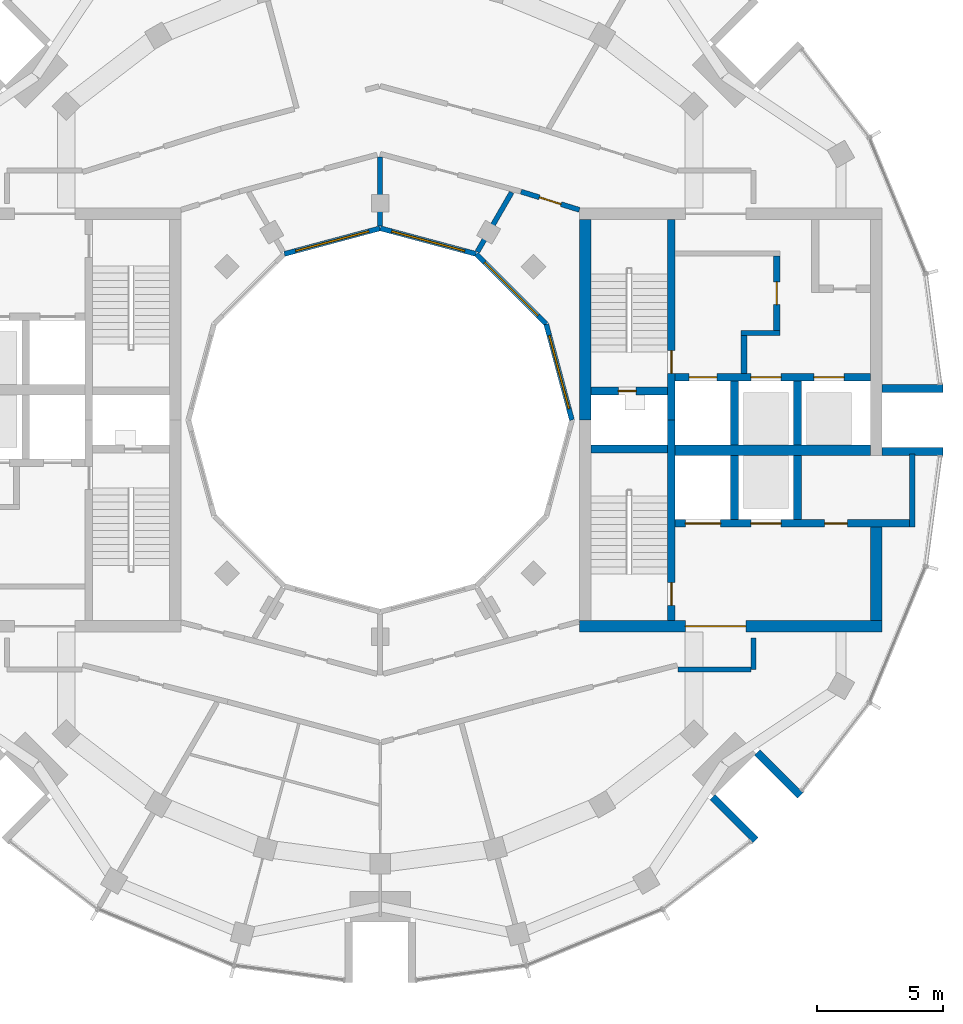
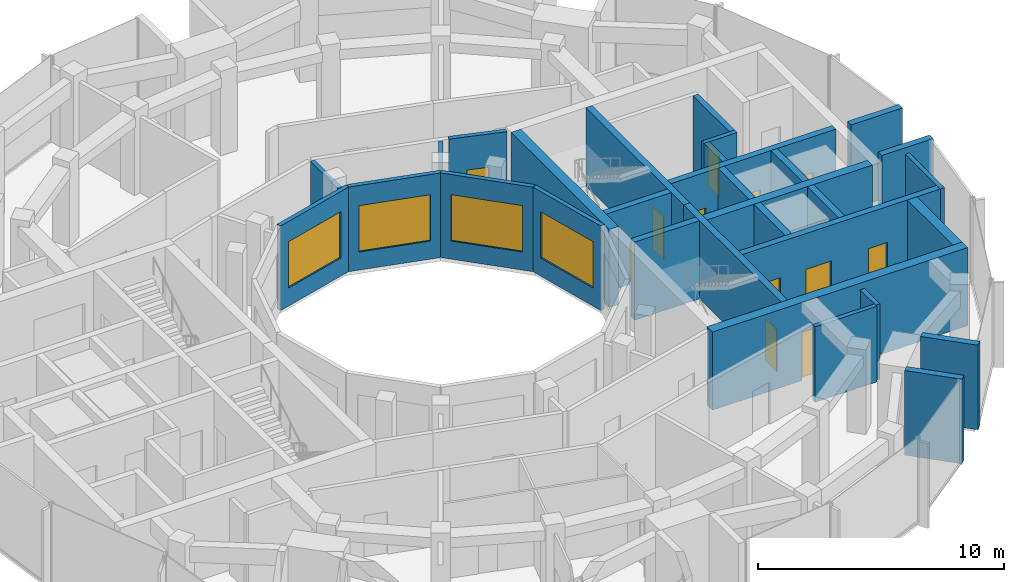
# One storey, part 10 of 13: 31 walls, 12 doors, 4 windows, 16 openings.
"""IFC4 building model written with IfcOpenShell, lengths in metres."""

from ifc_helpers import new_model, si_unit, direction, frame, frame_2d, origin, place, context, subcontext, project, spatial, rectangle, extrude, material, layer, layer_set, type_object, element, fill, save


model = new_model("IFC4")

# Units and contexts
model_context = context("Model", 3, precision=1e-05, world=origin(), true_north=direction((0.0, 1.0)))
body_context = subcontext(model_context, "Body", "Model", "MODEL_VIEW")
ifc_project = project(units=[si_unit("LENGTHUNIT", "METRE"), si_unit("AREAUNIT", "SQUARE_METRE"), si_unit("VOLUMEUNIT", "CUBIC_METRE"), si_unit("PLANEANGLEUNIT", "RADIAN"), si_unit("MASSUNIT", "GRAM", prefix="KILO")], contexts=[model_context])

# Site, building, storey
site_placement = place(None, origin())
site = spatial("IfcSite", under=ifc_project, at=site_placement, CompositionType="ELEMENT")
building_placement = place(site_placement, origin())
building = spatial("IfcBuilding", under=site, at=building_placement, Name="Torre Brocal", CompositionType="ELEMENT")
storey_placement = place(building_placement, frame((0.0, 0.0, 296.699951171875)))
storey = spatial("IfcBuildingStorey", under=building, at=storey_placement, Name="L68", CompositionType="ELEMENT", Elevation=296.699951171875)

# Walls
ifc_material_1 = material(Name="Masonry block", Category="masonry")
ifc_layer_1 = layer(ifc_material_1, 0.199951171875)
ifc_layer_set_1 = layer_set([ifc_layer_1], Name="Masonry block")
wall_type_1 = type_object("IfcWallType", Name="CORE PARTITION 200", PredefinedType="PARTITIONING", material=ifc_layer_set_1)
wall_1_placement = place(storey_placement, frame((101.10009765625, 70.75, 0.0), z_axis=(0.0, 0.0, 1.0), x_axis=(0.0, 1.0, 0.0)))
element("IfcWall", 1, at=wall_1_placement, inside=storey, type_object=wall_type_1, Name="Wall CP200", PredefinedType="PARTITIONING", context=body_context, shape_type="SweptSolid", body=[
    extrude(rectangle(XDim=2.89990234375, YDim=0.199951171875, at=frame_2d((1.449951171875, 0.0))), origin(), (0.0, 0.0, 1.0), 3.880126953125),
])
ifc_material_2 = material(Name="Concrete C50", Category="concrete")
ifc_layer_2 = layer(ifc_material_2, 0.199951171875)
ifc_layer_set_2 = layer_set([ifc_layer_2], Name="Concrete C50")
wall_type_2 = type_object("IfcWallType", Name="CORE WALL 200 C50", PredefinedType="SHEAR", material=ifc_layer_set_2)
wall_2_placement = place(storey_placement, frame((94.300048828125, 78.449951171875, 0.0), z_axis=(0.0, 0.0, 1.0), x_axis=(1.0, 0.0, 0.0)))
element("IfcWall", 2, at=wall_2_placement, inside=storey, type_object=wall_type_2, Name="Wall CW200-50", PredefinedType="SHEAR", context=body_context, shape_type="SweptSolid", body=[
    extrude(rectangle(XDim=1.550048828125, YDim=0.199951171875, at=frame_2d((0.77490234375, 0.0))), origin(), (0.0, 0.0, 1.0), 3.880126953125),
])

# Wall, opening, door
ifc_material_3 = material(Name="Concrete C50", Category="concrete")
ifc_layer_3 = layer(ifc_material_3, 0.25)
ifc_layer_set_3 = layer_set([ifc_layer_3], Name="Concrete C50")
wall_type_3 = type_object("IfcWallType", Name="CORE WALL 250 C50", PredefinedType="SHEAR", material=ifc_layer_set_3)
wall_3_placement = place(storey_placement, frame((95.72509765625, 78.550048828125, 0.0), z_axis=(0.0, 0.0, 1.0), x_axis=(0.0, 1.0, 0.0)))
wall_3 = element("IfcWall", 3, at=wall_3_placement, inside=storey, type_object=wall_type_3, Name="Wall CW250-50", PredefinedType="SHEAR", context=body_context, shape_type="SweptSolid", body=[
    extrude(rectangle(XDim=2.949951171875, YDim=0.25, at=frame_2d((1.47509765625, 0.0))), origin(), (0.0, 0.0, 1.0), 3.880126953125),
])
opening_1_placement = place(wall_3_placement, frame((1.02490234375, 0.0, 0.0)))
opening_1 = element("IfcOpeningElement", 4, at=opening_1_placement, cuts=wall_3, Name="Opening E-D19", PredefinedType="OPENING", context=body_context, shape_type="SweptSolid", body=[
    extrude(rectangle(XDim=0.89990234375, YDim=2.10009765625, at=frame_2d((0.449951171875, 1.050048828125))), frame((0.0, 0.135009765625, 0.0), z_axis=(0.0, -1.0, 0.0), x_axis=(1.0, 0.0, 0.0)), (0.0, 0.0, 1.0), 0.27001953125),
])
ifc_material_4 = material(Name="Steel A653", Category="steel")
door_type_1 = type_object("IfcDoorType", Name="LOBBY DOOR FD120 900X2100", OperationType="SINGLE_SWING_RIGHT", PredefinedType="DOOR", material=ifc_material_4)
door_1_placement = place(opening_1_placement, origin())
door_1 = element("IfcDoor", 5, at=door_1_placement, inside=storey, type_object=door_type_1, Name="Door E-D19", OperationType="SINGLE_SWING_LEFT", OverallHeight=2.10009765625, OverallWidth=0.89990234375, PredefinedType="DOOR", context=body_context, shape_type="SweptSolid", body=[
    extrude(rectangle(XDim=0.89990234375, YDim=2.10009765625, at=frame_2d((0.449951171875, 1.050048828125))), frame((0.0, 0.02490234375, 0.0), z_axis=(0.0, -1.0, 0.0), x_axis=(1.0, 0.0, 0.0)), (0.0, 0.0, 1.0), 0.050048828125),
])
fill(opening_1, door_1)

# Wall
wall_4_placement = place(storey_placement, frame((94.425048828125, 76.85009765625, 0.0), z_axis=(0.0, 0.0, 1.0), x_axis=(0.0, 1.0, 0.0)))
element("IfcWall", 6, at=wall_4_placement, inside=storey, type_object=wall_type_3, Name="Wall CW250-50", PredefinedType="SHEAR", context=body_context, shape_type="SweptSolid", body=[
    extrude(rectangle(XDim=1.5, YDim=0.25, at=frame_2d((0.75, 0.0))), origin(), (0.0, 0.0, 1.0), 3.880126953125),
])

# Wall, opening, door
ifc_material_5 = material(Name="Concrete C50", Category="concrete")
ifc_layer_4 = layer(ifc_material_5, 0.300048828125)
ifc_layer_set_4 = layer_set([ifc_layer_4], Name="Concrete C50")
wall_type_4 = type_object("IfcWallType", Name="CORE WALL 300 C50", PredefinedType="SHEAR", material=ifc_layer_set_4)
wall_5_placement = place(storey_placement, frame((91.550048828125, 75.0, 0.0), z_axis=(0.0, 0.0, 1.0), x_axis=(0.0, 1.0, 0.0)))
wall_5 = element("IfcWall", 7, at=wall_5_placement, inside=storey, type_object=wall_type_4, Name="Wall CW300-50", PredefinedType="SHEAR", context=body_context, shape_type="SweptSolid", body=[
    extrude(rectangle(XDim=7.949951171875, YDim=0.300048828125, at=frame_2d((3.97509765625, 0.0))), origin(), (0.0, 0.0, 1.0), 3.880126953125),
])
opening_2_placement = place(wall_5_placement, frame((1.85009765625, 0.0, 0.0)))
opening_2 = element("IfcOpeningElement", 8, at=opening_2_placement, cuts=wall_5, Name="Opening E-D02", PredefinedType="OPENING", context=body_context, shape_type="SweptSolid", body=[
    extrude(rectangle(XDim=0.89990234375, YDim=2.10009765625, at=frame_2d((0.449951171875, 1.050048828125))), frame((0.0, 0.159912109375, 0.0), z_axis=(0.0, -1.0, 0.0), x_axis=(1.0, 0.0, 0.0)), (0.0, 0.0, 1.0), 0.320068359375),
])
ifc_material_6 = material(Name="Steel A653", Category="steel")
door_type_2 = type_object("IfcDoorType", Name="STAIR DOOR FD120 900X2100", OperationType="SINGLE_SWING_RIGHT", PredefinedType="DOOR", material=ifc_material_6)
door_2_placement = place(opening_2_placement, origin())
door_2 = element("IfcDoor", 9, at=door_2_placement, inside=storey, type_object=door_type_2, Name="Door E-D02", OperationType="SINGLE_SWING_LEFT", OverallHeight=2.10009765625, OverallWidth=0.89990234375, PredefinedType="DOOR", context=body_context, shape_type="SweptSolid", body=[
    extrude(rectangle(XDim=0.89990234375, YDim=2.10009765625, at=frame_2d((0.449951171875, 1.050048828125))), frame((0.0, 0.02490234375, 0.0), z_axis=(0.0, -1.0, 0.0), x_axis=(1.0, 0.0, 0.0)), (0.0, 0.0, 1.0), 0.050048828125),
])
fill(opening_2, door_2)

wall_6_placement = place(storey_placement, frame((91.550048828125, 67.050048828125, 0.0), z_axis=(0.0, 0.0, 1.0), x_axis=(0.0, 1.0, 0.0)))
wall_6 = element("IfcWall", 10, at=wall_6_placement, inside=storey, type_object=wall_type_4, Name="Wall CW300-50", PredefinedType="SHEAR", context=body_context, shape_type="SweptSolid", body=[
    extrude(rectangle(XDim=7.949951171875, YDim=0.300048828125, at=frame_2d((3.97509765625, 0.0))), origin(), (0.0, 0.0, 1.0), 3.880126953125),
])
opening_3_placement = place(wall_6_placement, frame((0.60009765625, 0.0, 0.0)))
opening_3 = element("IfcOpeningElement", 11, at=opening_3_placement, cuts=wall_6, Name="Opening E-D03", PredefinedType="OPENING", context=body_context, shape_type="SweptSolid", body=[
    extrude(rectangle(XDim=0.89990234375, YDim=2.10009765625, at=frame_2d((0.449951171875, 1.050048828125))), frame((0.0, 0.159912109375, 0.0), z_axis=(0.0, -1.0, 0.0), x_axis=(1.0, 0.0, 0.0)), (0.0, 0.0, 1.0), 0.320068359375),
])
door_3_placement = place(opening_3_placement, origin())
door_3 = element("IfcDoor", 12, at=door_3_placement, inside=storey, type_object=door_type_2, Name="Door E-D03", OperationType="SINGLE_SWING_LEFT", OverallHeight=2.10009765625, OverallWidth=0.89990234375, PredefinedType="DOOR", context=body_context, shape_type="SweptSolid", body=[
    extrude(rectangle(XDim=0.89990234375, YDim=2.10009765625, at=frame_2d((0.449951171875, 1.050048828125))), frame((0.0, 0.02490234375, 0.0), z_axis=(0.0, -1.0, 0.0), x_axis=(1.0, 0.0, 0.0)), (0.0, 0.0, 1.0), 0.050048828125),
])
fill(opening_3, door_3)

wall_7_placement = place(storey_placement, frame((88.35009765625, 76.14990234375, 0.0), z_axis=(0.0, 0.0, 1.0), x_axis=(1.0, 0.0, 0.0)))
wall_7 = element("IfcWall", 13, at=wall_7_placement, inside=storey, type_object=wall_type_4, Name="Wall CW300-50", PredefinedType="SHEAR", context=body_context, shape_type="SweptSolid", body=[
    extrude(rectangle(XDim=3.0498046875, YDim=0.300048828125, at=frame_2d((1.52490234375, 0.0))), origin(), (0.0, 0.0, 1.0), 3.880126953125),
])
opening_4_placement = place(wall_7_placement, frame((1.10009765625, 0.0, 0.0)))
opening_4 = element("IfcOpeningElement", 14, at=opening_4_placement, cuts=wall_7, Name="Opening E-D01", PredefinedType="OPENING", context=body_context, shape_type="SweptSolid", body=[
    extrude(rectangle(XDim=0.699951171875, YDim=2.0, at=frame_2d((0.35009765625, 1.0))), frame((0.0, 0.159912109375, 0.0), z_axis=(0.0, -1.0, 0.0), x_axis=(1.0, 0.0, 0.0)), (0.0, 0.0, 1.0), 0.320068359375),
])
ifc_material_7 = material(Name="Steel A653", Category="steel")
door_type_3 = type_object("IfcDoorType", Name="RISER DOOR FD120 700X2000", OperationType="SINGLE_SWING_LEFT", PredefinedType="DOOR", material=ifc_material_7)
door_4_placement = place(opening_4_placement, frame((0.699951171875, 0.0, 0.0), z_axis=(0.0, 0.0, 1.0), x_axis=(-1.0, 0.0, 0.0)))
door_4 = element("IfcDoor", 15, at=door_4_placement, inside=storey, type_object=door_type_3, Name="Door E-D01", OperationType="SINGLE_SWING_RIGHT", OverallHeight=2.0, OverallWidth=0.699951171875, PredefinedType="DOOR", context=body_context, shape_type="SweptSolid", body=[
    extrude(rectangle(XDim=0.699951171875, YDim=2.0, at=frame_2d((0.35009765625, 1.0))), frame((0.0, 0.02490234375, 0.0), z_axis=(0.0, -1.0, 0.0), x_axis=(1.0, 0.0, 0.0)), (0.0, 0.0, 1.0), 0.050048828125),
])
fill(opening_4, door_4)

# Wall
wall_8_placement = place(storey_placement, frame((88.35009765625, 73.85009765625, 0.0), z_axis=(0.0, 0.0, 1.0), x_axis=(1.0, 0.0, 0.0)))
element("IfcWall", 16, at=wall_8_placement, inside=storey, type_object=wall_type_4, Name="Wall CW300-50", PredefinedType="SHEAR", context=body_context, shape_type="SweptSolid", body=[
    extrude(rectangle(XDim=3.0498046875, YDim=0.300048828125, at=frame_2d((1.52490234375, 0.0))), origin(), (0.0, 0.0, 1.0), 3.880126953125),
])

# Wall, openings, doors
wall_9_placement = place(storey_placement, frame((91.699951171875, 76.699951171875, 0.0), z_axis=(0.0, 0.0, 1.0), x_axis=(1.0, 0.0, 0.0)))
wall_9 = element("IfcWall", 17, at=wall_9_placement, inside=storey, type_object=wall_type_4, Name="Wall CW300-50", PredefinedType="SHEAR", context=body_context, shape_type="SweptSolid", body=[
    extrude(rectangle(XDim=7.75, YDim=0.300048828125, at=frame_2d((3.875, 0.0))), origin(), (0.0, 0.0, 1.0), 3.880126953125),
])
opening_5_placement = place(wall_9_placement, frame((0.550048828125, 0.0, 0.0)))
opening_5 = element("IfcOpeningElement", 18, at=opening_5_placement, cuts=wall_9, Name="Opening LD", PredefinedType="OPENING", context=body_context, shape_type="SweptSolid", body=[
    extrude(rectangle(XDim=1.10009765625, YDim=2.10009765625, at=frame_2d((0.550048828125, 1.050048828125))), frame((0.0, 0.159912109375, 0.0), z_axis=(0.0, -1.0, 0.0), x_axis=(1.0, 0.0, 0.0)), (0.0, 0.0, 1.0), 0.320068359375),
])
opening_6_placement = place(wall_9_placement, frame((3.0, 0.0, 0.0)))
opening_6 = element("IfcOpeningElement", 19, at=opening_6_placement, cuts=wall_9, Name="Opening LD12", PredefinedType="OPENING", context=body_context, shape_type="SweptSolid", body=[
    extrude(rectangle(XDim=1.199951171875, YDim=2.10009765625, at=frame_2d((0.60009765625, 1.050048828125))), frame((0.0, 0.159912109375, 0.0), z_axis=(0.0, -1.0, 0.0), x_axis=(1.0, 0.0, 0.0)), (0.0, 0.0, 1.0), 0.320068359375),
])
opening_7_placement = place(wall_9_placement, frame((5.5, 0.0, 0.0)))
opening_7 = element("IfcOpeningElement", 20, at=opening_7_placement, cuts=wall_9, Name="Opening LD12", PredefinedType="OPENING", context=body_context, shape_type="SweptSolid", body=[
    extrude(rectangle(XDim=1.199951171875, YDim=2.10009765625, at=frame_2d((0.60009765625, 1.050048828125))), frame((0.0, 0.159912109375, 0.0), z_axis=(0.0, -1.0, 0.0), x_axis=(1.0, 0.0, 0.0)), (0.0, 0.0, 1.0), 0.320068359375),
])
ifc_material_8 = material(Name="Stainless steel AISI 316", Category="steel")
door_type_4 = type_object("IfcDoorType", Name="LIFT LANDING DOOR 1100X2100", OperationType="DOUBLE_DOOR_SLIDING", PredefinedType="DOOR", material=ifc_material_8)
door_5_placement = place(opening_5_placement, origin())
door_5 = element("IfcDoor", 21, at=door_5_placement, inside=storey, type_object=door_type_4, Name="Door LD", OperationType="DOUBLE_DOOR_SLIDING", OverallHeight=2.10009765625, OverallWidth=1.10009765625, PredefinedType="DOOR", context=body_context, shape_type="SweptSolid", body=[
    extrude(rectangle(XDim=1.10009765625, YDim=2.10009765625, at=frame_2d((0.550048828125, 1.050048828125))), frame((0.0, 0.02490234375, 0.0), z_axis=(0.0, -1.0, 0.0), x_axis=(1.0, 0.0, 0.0)), (0.0, 0.0, 1.0), 0.050048828125),
])
fill(opening_5, door_5)
ifc_material_9 = material(Name="Stainless steel AISI 316", Category="steel")
door_type_5 = type_object("IfcDoorType", Name="LIFT LANDING DOOR 1200X2100", OperationType="DOUBLE_DOOR_SLIDING", PredefinedType="DOOR", material=ifc_material_9)
door_6_placement = place(opening_6_placement, origin())
door_6 = element("IfcDoor", 22, at=door_6_placement, inside=storey, type_object=door_type_5, Name="Door LD12", OperationType="DOUBLE_DOOR_SLIDING", OverallHeight=2.10009765625, OverallWidth=1.199951171875, PredefinedType="DOOR", context=body_context, shape_type="SweptSolid", body=[
    extrude(rectangle(XDim=1.199951171875, YDim=2.10009765625, at=frame_2d((0.60009765625, 1.050048828125))), frame((0.0, 0.02490234375, 0.0), z_axis=(0.0, -1.0, 0.0), x_axis=(1.0, 0.0, 0.0)), (0.0, 0.0, 1.0), 0.050048828125),
])
fill(opening_6, door_6)
door_7_placement = place(opening_7_placement, origin())
door_7 = element("IfcDoor", 23, at=door_7_placement, inside=storey, type_object=door_type_5, Name="Door LD12", OperationType="DOUBLE_DOOR_SLIDING", OverallHeight=2.10009765625, OverallWidth=1.199951171875, PredefinedType="DOOR", context=body_context, shape_type="SweptSolid", body=[
    extrude(rectangle(XDim=1.199951171875, YDim=2.10009765625, at=frame_2d((0.60009765625, 1.050048828125))), frame((0.0, 0.02490234375, 0.0), z_axis=(0.0, -1.0, 0.0), x_axis=(1.0, 0.0, 0.0)), (0.0, 0.0, 1.0), 0.050048828125),
])
fill(opening_7, door_7)

wall_10_placement = place(storey_placement, frame((91.699951171875, 70.89990234375, 0.0), z_axis=(0.0, 0.0, 1.0), x_axis=(1.0, 0.0, 0.0)))
wall_10 = element("IfcWall", 24, at=wall_10_placement, inside=storey, type_object=wall_type_4, Name="Wall CW300-50", PredefinedType="SHEAR", context=body_context, shape_type="SweptSolid", body=[
    extrude(rectangle(XDim=9.300048828125, YDim=0.300048828125, at=frame_2d((4.64990234375, 0.0))), origin(), (0.0, 0.0, 1.0), 3.880126953125),
])
opening_8_placement = place(wall_10_placement, frame((0.39990234375, 0.0, 0.0)))
opening_8 = element("IfcOpeningElement", 25, at=opening_8_placement, cuts=wall_10, Name="Opening LD14", PredefinedType="OPENING", context=body_context, shape_type="SweptSolid", body=[
    extrude(rectangle(XDim=1.39990234375, YDim=2.10009765625, at=frame_2d((0.699951171875, 1.050048828125))), frame((0.0, 0.159912109375, 0.0), z_axis=(0.0, -1.0, 0.0), x_axis=(1.0, 0.0, 0.0)), (0.0, 0.0, 1.0), 0.320068359375),
])
opening_9_placement = place(wall_10_placement, frame((3.0, 0.0, 0.0)))
opening_9 = element("IfcOpeningElement", 26, at=opening_9_placement, cuts=wall_10, Name="Opening LD12", PredefinedType="OPENING", context=body_context, shape_type="SweptSolid", body=[
    extrude(rectangle(XDim=1.199951171875, YDim=2.10009765625, at=frame_2d((0.60009765625, 1.050048828125))), frame((0.0, 0.159912109375, 0.0), z_axis=(0.0, -1.0, 0.0), x_axis=(1.0, 0.0, 0.0)), (0.0, 0.0, 1.0), 0.320068359375),
])
opening_10_placement = place(wall_10_placement, frame((5.925048828125, 0.0, 0.0)))
opening_10 = element("IfcOpeningElement", 27, at=opening_10_placement, cuts=wall_10, Name="Opening E-D04", PredefinedType="OPENING", context=body_context, shape_type="SweptSolid", body=[
    extrude(rectangle(XDim=0.89990234375, YDim=2.10009765625, at=frame_2d((0.449951171875, 1.050048828125))), frame((0.0, 0.159912109375, 0.0), z_axis=(0.0, -1.0, 0.0), x_axis=(1.0, 0.0, 0.0)), (0.0, 0.0, 1.0), 0.320068359375),
])
door_8_placement = place(opening_9_placement, origin())
door_8 = element("IfcDoor", 28, at=door_8_placement, inside=storey, type_object=door_type_5, Name="Door LD12", OperationType="DOUBLE_DOOR_SLIDING", OverallHeight=2.10009765625, OverallWidth=1.199951171875, PredefinedType="DOOR", context=body_context, shape_type="SweptSolid", body=[
    extrude(rectangle(XDim=1.199951171875, YDim=2.10009765625, at=frame_2d((0.60009765625, 1.050048828125))), frame((0.0, 0.02490234375, 0.0), z_axis=(0.0, -1.0, 0.0), x_axis=(1.0, 0.0, 0.0)), (0.0, 0.0, 1.0), 0.050048828125),
])
fill(opening_9, door_8)
ifc_material_10 = material(Name="Stainless steel AISI 316", Category="steel")
door_type_6 = type_object("IfcDoorType", Name="LIFT LANDING DOOR 1400X2100", OperationType="DOUBLE_DOOR_SLIDING", PredefinedType="DOOR", material=ifc_material_10)
door_9_placement = place(opening_8_placement, origin())
door_9 = element("IfcDoor", 29, at=door_9_placement, inside=storey, type_object=door_type_6, Name="Door LD14", OperationType="DOUBLE_DOOR_SLIDING", OverallHeight=2.10009765625, OverallWidth=1.39990234375, PredefinedType="DOOR", context=body_context, shape_type="SweptSolid", body=[
    extrude(rectangle(XDim=1.39990234375, YDim=2.10009765625, at=frame_2d((0.699951171875, 1.050048828125))), frame((0.0, 0.02490234375, 0.0), z_axis=(0.0, -1.0, 0.0), x_axis=(1.0, 0.0, 0.0)), (0.0, 0.0, 1.0), 0.050048828125),
])
fill(opening_8, door_9)
ifc_material_11 = material(Name="Steel A653", Category="steel")
door_type_7 = type_object("IfcDoorType", Name="ROOM DOOR FD30S 900X2100", OperationType="SINGLE_SWING_LEFT", PredefinedType="DOOR", material=ifc_material_11)
door_10_placement = place(opening_10_placement, origin())
door_10 = element("IfcDoor", 30, at=door_10_placement, inside=storey, type_object=door_type_7, Name="Door E-D04", OperationType="SINGLE_SWING_LEFT", OverallHeight=2.10009765625, OverallWidth=0.89990234375, PredefinedType="DOOR", context=body_context, shape_type="SweptSolid", body=[
    extrude(rectangle(XDim=0.89990234375, YDim=2.10009765625, at=frame_2d((0.449951171875, 1.050048828125))), frame((0.0, 0.02490234375, 0.0), z_axis=(0.0, -1.0, 0.0), x_axis=(1.0, 0.0, 0.0)), (0.0, 0.0, 1.0), 0.050048828125),
])
fill(opening_10, door_10)

# Walls
for number, where, z_axis, x_axis, name in (
    (31, (94.050048828125, 74.0, 0.0), (0.0, 0.0, 1.0), (0.0, 1.0, 0.0), "Wall CW300-50"),
    (32, (96.550048828125, 74.0, 0.0), (0.0, 0.0, 1.0), (0.0, 1.0, 0.0), "Wall CW300-50"),
    (33, (94.050048828125, 71.050048828125, 0.0), (0.0, 0.0, 1.0), (0.0, 1.0, 0.0), "Wall CW300-50"),
    (34, (96.550048828125, 71.050048828125, 0.0), (0.0, 0.0, 1.0), (0.0, 1.0, 0.0), "Wall CW300-50"),
):
    element("IfcWall", number, at=place(storey_placement, frame(where, z_axis=z_axis, x_axis=x_axis)), inside=storey, type_object=wall_type_4, Name=name, PredefinedType="SHEAR", context=body_context, shape_type="SweptSolid", body=[
        extrude(rectangle(XDim=2.550048828125, YDim=0.300048828125, at=frame_2d((1.27490234375, 0.0))), origin(), (0.0, 0.0, 1.0), 3.880126953125),
    ])
ifc_material_12 = material(Name="Concrete C50", Category="concrete")
ifc_layer_5 = layer(ifc_material_12, 0.39990234375)
ifc_layer_set_5 = layer_set([ifc_layer_5], Name="Concrete C50")
wall_type_5 = type_object("IfcWallType", Name="CORE WALL 400 C50", PredefinedType="SHEAR", material=ifc_layer_set_5)
wall_11_placement = place(storey_placement, frame((91.699951171875, 73.800048828125, 0.0), z_axis=(0.0, 0.0, 1.0), x_axis=(1.0, 0.0, 0.0)))
element("IfcWall", 35, at=wall_11_placement, inside=storey, type_object=wall_type_5, Name="Wall CW400-50", PredefinedType="SHEAR", context=body_context, shape_type="SweptSolid", body=[
    extrude(rectangle(XDim=7.75, YDim=0.39990234375, at=frame_2d((3.875, 0.0))), origin(), (0.0, 0.0, 1.0), 3.880126953125),
])

# Wall, opening, door
ifc_material_13 = material(Name="Concrete C50", Category="concrete")
ifc_layer_6 = layer(ifc_material_13, 0.449951171875)
ifc_layer_set_6 = layer_set([ifc_layer_6], Name="Concrete C50")
wall_type_6 = type_object("IfcWallType", Name="CORE WALL 450 C50", PredefinedType="SHEAR", material=ifc_layer_set_6)
wall_12_placement = place(storey_placement, frame((87.89990234375, 66.824951171875, 0.0), z_axis=(0.0, 0.0, 1.0), x_axis=(1.0, 0.0, 0.0)))
wall_12 = element("IfcWall", 36, at=wall_12_placement, inside=storey, type_object=wall_type_6, Name="Wall CW450-50", PredefinedType="SHEAR", context=body_context, shape_type="SweptSolid", body=[
    extrude(rectangle(XDim=12.0, YDim=0.449951171875, at=frame_2d((6.0, 0.0))), origin(), (0.0, 0.0, 1.0), 3.880126953125),
])
opening_11_placement = place(wall_12_placement, frame((4.199951171875, 0.0, 0.0)))
opening_11 = element("IfcOpeningElement", 37, at=opening_11_placement, cuts=wall_12, Name="Opening E-D27", PredefinedType="OPENING", context=body_context, shape_type="SweptSolid", body=[
    extrude(rectangle(XDim=2.39990234375, YDim=2.39990234375, at=frame_2d((1.199951171875, 1.199951171875))), frame((0.0, 0.23486328125, 0.0), z_axis=(0.0, -1.0, 0.0), x_axis=(1.0, 0.0, 0.0)), (0.0, 0.0, 1.0), 0.469970703125),
])
ifc_material_14 = material(Name="Steel A653", Category="steel")
door_type_8 = type_object("IfcDoorType", Name="DOUBLE FIRE DOOR FD90 2400X2400", OperationType="DOUBLE_DOOR_SINGLE_SWING", PredefinedType="DOOR", material=ifc_material_14)
door_11_placement = place(opening_11_placement, origin())
door_11 = element("IfcDoor", 38, at=door_11_placement, inside=storey, type_object=door_type_8, Name="Door E-D27", OperationType="DOUBLE_DOOR_SINGLE_SWING", OverallHeight=2.39990234375, OverallWidth=2.39990234375, PredefinedType="DOOR", context=body_context, shape_type="SweptSolid", body=[
    extrude(rectangle(XDim=2.39990234375, YDim=2.39990234375, at=frame_2d((1.199951171875, 1.199951171875))), frame((0.0, 0.02490234375, 0.0), z_axis=(0.0, -1.0, 0.0), x_axis=(1.0, 0.0, 0.0)), (0.0, 0.0, 1.0), 0.050048828125),
])
fill(opening_11, door_11)

# Walls
wall_13_placement = place(storey_placement, frame((88.125, 75.0, 0.0), z_axis=(0.0, 0.0, 1.0), x_axis=(0.0, 1.0, 0.0)))
element("IfcWall", 39, at=wall_13_placement, inside=storey, type_object=wall_type_6, Name="Wall CW450-50", PredefinedType="SHEAR", context=body_context, shape_type="SweptSolid", body=[
    extrude(rectangle(XDim=7.949951171875, YDim=0.449951171875, at=frame_2d((3.97509765625, 0.0))), origin(), (0.0, 0.0, 1.0), 3.880126953125),
])
wall_14_placement = place(storey_placement, frame((99.675048828125, 67.050048828125, 0.0), z_axis=(0.0, 0.0, 1.0), x_axis=(0.0, 1.0, 0.0)))
element("IfcWall", 40, at=wall_14_placement, inside=storey, type_object=wall_type_6, Name="Wall CW450-50", PredefinedType="SHEAR", context=body_context, shape_type="SweptSolid", body=[
    extrude(rectangle(XDim=3.699951171875, YDim=0.449951171875, at=frame_2d((1.85009765625, 0.0))), origin(), (0.0, 0.0, 1.0), 3.880126953125),
])
ifc_material_15 = material(Name="Concrete C50", Category="concrete")
ifc_layer_7 = layer(ifc_material_15, 0.300048828125)
ifc_layer_set_7 = layer_set([ifc_layer_7], Name="Concrete C50")
wall_type_7 = type_object("IfcWallType", Name="NOTCH RETURN WALL 300 C50", PredefinedType="NOTDEFINED", material=ifc_layer_set_7)
for number, where, z_axis, x_axis, name in (
    (41, (99.89990234375, 73.75, 0.0), (0.0, 0.0, 1.0), (1.0, 0.0, 0.0), "NOTCH RETURN WALL"),
    (42, (99.89990234375, 76.25, 0.0), (0.0, 0.0, 1.0), (1.0, 0.0, 0.0), "NOTCH RETURN WALL"),
    (43, (93.1875, 60.044677734375, 0.0), (0.0, 0.0, 1.0), (0.707106781187, -0.707106781187, 0.0), "NOTCH RETURN WALL"),
    (44, (94.955322265625, 61.8125, 0.0), (0.0, 0.0, 1.0), (0.707106781187, -0.707106781187, 0.0), "NOTCH RETURN WALL"),
):
    element("IfcWall", number, at=place(storey_placement, frame(where, z_axis=z_axis, x_axis=x_axis)), inside=storey, type_object=wall_type_7, Name=name, PredefinedType="NOTDEFINED", context=body_context, shape_type="SweptSolid", body=[
        extrude(rectangle(XDim=2.415771484375, YDim=0.300048828125, at=frame_2d((1.2080078125, 0.0))), origin(), (0.0, 0.0, 1.0), 4.199951171875),
    ])
ifc_material_16 = material(Name="Gypsum board", Category="Gypsum")
ifc_layer_8 = layer(ifc_material_16, 0.199951171875)
ifc_layer_set_8 = layer_set([ifc_layer_8], Name="Gypsum board")
wall_type_8 = type_object("IfcWallType", Name="PARTITION 200 EI60", PredefinedType="PARTITIONING", material=ifc_layer_set_8)
wall_15_placement = place(storey_placement, frame((80.0, 82.698974609375, 0.0), z_axis=(0.0, 0.0, 1.0), x_axis=(0.0, 1.0, 0.0)))
element("IfcWall", 45, at=wall_15_placement, inside=storey, type_object=wall_type_8, Name="SERVICE ROOM WALL", PredefinedType="PARTITIONING", context=body_context, shape_type="SweptSolid", body=[
    extrude(rectangle(XDim=2.72509765625, YDim=0.199951171875, at=frame_2d((1.362548828125, 0.0))), origin(), (0.0, 0.0, 1.0), 3.75),
])
wall_16_placement = place(storey_placement, frame((83.8505859375, 81.666015625, 0.0), z_axis=(0.0, 0.0, 1.0), x_axis=(0.500146274735, 0.865940935554, 0.0)))
element("IfcWall", 46, at=wall_16_placement, inside=storey, type_object=wall_type_8, Name="SERVICE ROOM WALL", PredefinedType="PARTITIONING", context=body_context, shape_type="SweptSolid", body=[
    extrude(rectangle(XDim=2.725830078125, YDim=0.199951171875, at=frame_2d((1.36279296875, 0.0))), origin(), (0.0, 0.0, 1.0), 3.75),
])

# Wall, opening, door
wall_17_placement = place(storey_placement, frame((85.5869140625, 84.056884765625, 0.0), z_axis=(0.0, 0.0, 1.0), x_axis=(0.954239513179, -0.299043393987, 0.0)))
wall_17 = element("IfcWall", 47, at=wall_17_placement, inside=storey, type_object=wall_type_8, Name="CORRIDOR WALL", PredefinedType="PARTITIONING", context=body_context, shape_type="SweptSolid", body=[
    extrude(rectangle(XDim=2.423828125, YDim=0.199951171875, at=frame_2d((1.2119140625, 0.0))), origin(), (0.0, 0.0, 1.0), 3.75),
])
opening_12_placement = place(wall_17_placement, frame((0.761962890625, 0.0, 0.0)))
opening_12 = element("IfcOpeningElement", 48, at=opening_12_placement, cuts=wall_17, Name="Opening N03-D04", PredefinedType="OPENING", context=body_context, shape_type="SweptSolid", body=[
    extrude(rectangle(XDim=0.89990234375, YDim=2.10009765625, at=frame_2d((0.449951171875, 1.050048828125))), frame((0.0, 0.10986328125, 0.0), z_axis=(0.0, -1.0, 0.0), x_axis=(1.0, 0.0, 0.0)), (0.0, 0.0, 1.0), 0.219970703125),
])
ifc_material_17 = material(Name="Timber", Category="wood")
door_type_9 = type_object("IfcDoorType", Name="ROOM DOOR 900X2100", OperationType="SINGLE_SWING_LEFT", PredefinedType="DOOR", material=ifc_material_17)
door_12_placement = place(opening_12_placement, frame((0.89990234375, 0.0, 0.0), z_axis=(0.0, 0.0, 1.0), x_axis=(-1.0, 0.0, 0.0)))
door_12 = element("IfcDoor", 49, at=door_12_placement, inside=storey, type_object=door_type_9, Name="N03-D04", OperationType="SINGLE_SWING_LEFT", OverallHeight=2.10009765625, OverallWidth=0.89990234375, PredefinedType="DOOR", context=body_context, shape_type="SweptSolid", body=[
    extrude(rectangle(XDim=0.89990234375, YDim=2.10009765625, at=frame_2d((0.449951171875, 1.050048828125))), frame((0.0, 0.02490234375, 0.0), z_axis=(0.0, -1.0, 0.0), x_axis=(1.0, 0.0, 0.0)), (0.0, 0.0, 1.0), 0.050048828125),
])
fill(opening_12, door_12)

# Walls
wall_18_placement = place(storey_placement, frame((91.800048828125, 65.10009765625, 0.0), z_axis=(0.0, 0.0, 1.0), x_axis=(1.0, 0.0, 0.0)))
element("IfcWall", 50, at=wall_18_placement, inside=storey, type_object=wall_type_8, Name="FLAT ENTRANCE WALL", PredefinedType="PARTITIONING", context=body_context, shape_type="SweptSolid", body=[
    extrude(rectangle(XDim=2.89990234375, YDim=0.199951171875, at=frame_2d((1.449951171875, 0.0))), origin(), (0.0, 0.0, 1.0), 3.75),
])
wall_19_placement = place(storey_placement, frame((94.800048828125, 65.10009765625, 0.0), z_axis=(0.0, 0.0, 1.0), x_axis=(0.0, 1.0, 0.0)))
element("IfcWall", 51, at=wall_19_placement, inside=storey, type_object=wall_type_8, Name="FLAT ENTRANCE WALL", PredefinedType="PARTITIONING", context=body_context, shape_type="SweptSolid", body=[
    extrude(rectangle(XDim=1.2490234375, YDim=0.199951171875, at=frame_2d((0.62451171875, 0.0))), origin(), (0.0, 0.0, 1.0), 3.75),
])

# Wall, opening, window
ifc_material_18 = material(Name="Concrete C40", Category="concrete")
ifc_layer_9 = layer(ifc_material_18, 0.199951171875)
ifc_layer_set_9 = layer_set([ifc_layer_9], Name="Concrete C40")
wall_type_9 = type_object("IfcWallType", Name="WELL FACADE WALL 200", PredefinedType="NOTDEFINED", material=ifc_layer_set_9)
wall_20_placement = place(storey_placement, frame((87.603515625, 75.0, 0.0), z_axis=(0.0, 0.0, 1.0), x_axis=(-0.258789828301, 0.965933654434, 0.0)))
wall_20 = element("IfcWall", 52, at=wall_20_placement, inside=storey, type_object=wall_type_9, Name="WELL FACADE WALL", PredefinedType="NOTDEFINED", context=body_context, shape_type="SweptSolid", body=[
    extrude(rectangle(XDim=3.935791015625, YDim=0.199951171875, at=frame_2d((1.9677734375, 0.0))), origin(), (0.0, 0.0, 1.0), 4.199951171875),
])
opening_13_placement = place(wall_20_placement, frame((0.468017578125, 0.0, 0.89990234375)))
opening_13 = element("IfcOpeningElement", 53, at=opening_13_placement, cuts=wall_20, Name="Opening W1", PredefinedType="OPENING", context=body_context, shape_type="SweptSolid", body=[
    extrude(rectangle(XDim=3.0, YDim=2.300048828125, at=frame_2d((1.5, 1.14990234375))), frame((0.0, 0.10986328125, 0.0), z_axis=(0.0, -1.0, 0.0), x_axis=(1.0, 0.0, 0.0)), (0.0, 0.0, 1.0), 0.219970703125),
])
ifc_material_19 = material(Name="Aluminium and glass", Category="aluminium")
window_type = type_object("IfcWindowType", Name="WELL WINDOW 3000X2300", PartitioningType="SINGLE_PANEL", PredefinedType="WINDOW", material=ifc_material_19)
window_1_placement = place(opening_13_placement, origin())
window_1 = element("IfcWindow", 54, at=window_1_placement, inside=storey, type_object=window_type, Name="WELL WINDOW 3000X2300", OverallHeight=2.300048828125, OverallWidth=3.0, PartitioningType="SINGLE_PANEL", PredefinedType="WINDOW", context=body_context, shape_type="SweptSolid", body=[
    extrude(rectangle(XDim=3.0, YDim=2.300048828125, at=frame_2d((1.5, 1.14990234375))), frame((0.0, 0.030029296875, 0.0), z_axis=(0.0, -1.0, 0.0), x_axis=(1.0, 0.0, 0.0)), (0.0, 0.0, 1.0), 0.06005859375),
])
fill(opening_13, window_1)

wall_21_placement = place(storey_placement, frame((86.5849609375, 78.8017578125, 0.0), z_axis=(0.0, 0.0, 1.0), x_axis=(-0.707106781187, 0.707106781187, 0.0)))
wall_21 = element("IfcWall", 55, at=wall_21_placement, inside=storey, type_object=wall_type_9, Name="WELL FACADE WALL", PredefinedType="NOTDEFINED", context=body_context, shape_type="SweptSolid", body=[
    extrude(rectangle(XDim=3.93603515625, YDim=0.199951171875, at=frame_2d((1.968017578125, 0.0))), origin(), (0.0, 0.0, 1.0), 4.199951171875),
])
opening_14_placement = place(wall_21_placement, frame((0.468017578125, 0.0, 0.89990234375)))
opening_14 = element("IfcOpeningElement", 56, at=opening_14_placement, cuts=wall_21, Name="Opening W1", PredefinedType="OPENING", context=body_context, shape_type="SweptSolid", body=[
    extrude(rectangle(XDim=3.0, YDim=2.300048828125, at=frame_2d((1.5, 1.14990234375))), frame((0.0, 0.10986328125, 0.0), z_axis=(0.0, -1.0, 0.0), x_axis=(1.0, 0.0, 0.0)), (0.0, 0.0, 1.0), 0.219970703125),
])
window_2_placement = place(opening_14_placement, origin())
window_2 = element("IfcWindow", 57, at=window_2_placement, inside=storey, type_object=window_type, Name="WELL WINDOW 3000X2300", OverallHeight=2.300048828125, OverallWidth=3.0, PartitioningType="SINGLE_PANEL", PredefinedType="WINDOW", context=body_context, shape_type="SweptSolid", body=[
    extrude(rectangle(XDim=3.0, YDim=2.300048828125, at=frame_2d((1.5, 1.14990234375))), frame((0.0, 0.030029296875, 0.0), z_axis=(0.0, -1.0, 0.0), x_axis=(1.0, 0.0, 0.0)), (0.0, 0.0, 1.0), 0.06005859375),
])
fill(opening_14, window_2)

wall_22_placement = place(storey_placement, frame((83.8017578125, 81.5849609375, 0.0), z_axis=(0.0, 0.0, 1.0), x_axis=(-0.965933654434, 0.258789828301, 0.0)))
wall_22 = element("IfcWall", 58, at=wall_22_placement, inside=storey, type_object=wall_type_9, Name="WELL FACADE WALL", PredefinedType="NOTDEFINED", context=body_context, shape_type="SweptSolid", body=[
    extrude(rectangle(XDim=3.935791015625, YDim=0.199951171875, at=frame_2d((1.9677734375, 0.0))), origin(), (0.0, 0.0, 1.0), 4.199951171875),
])
opening_15_placement = place(wall_22_placement, frame((0.468017578125, 0.0, 0.89990234375)))
opening_15 = element("IfcOpeningElement", 59, at=opening_15_placement, cuts=wall_22, Name="Opening W1", PredefinedType="OPENING", context=body_context, shape_type="SweptSolid", body=[
    extrude(rectangle(XDim=3.0, YDim=2.300048828125, at=frame_2d((1.5, 1.14990234375))), frame((0.0, 0.10986328125, 0.0), z_axis=(0.0, -1.0, 0.0), x_axis=(1.0, 0.0, 0.0)), (0.0, 0.0, 1.0), 0.219970703125),
])
window_3_placement = place(opening_15_placement, origin())
window_3 = element("IfcWindow", 60, at=window_3_placement, inside=storey, type_object=window_type, Name="WELL WINDOW 3000X2300", OverallHeight=2.300048828125, OverallWidth=3.0, PartitioningType="SINGLE_PANEL", PredefinedType="WINDOW", context=body_context, shape_type="SweptSolid", body=[
    extrude(rectangle(XDim=3.0, YDim=2.300048828125, at=frame_2d((1.5, 1.14990234375))), frame((0.0, 0.030029296875, 0.0), z_axis=(0.0, -1.0, 0.0), x_axis=(1.0, 0.0, 0.0)), (0.0, 0.0, 1.0), 0.06005859375),
])
fill(opening_15, window_3)

wall_23_placement = place(storey_placement, frame((80.0, 82.603515625, 0.0), z_axis=(0.0, 0.0, 1.0), x_axis=(-0.965933654434, -0.258789828301, 0.0)))
wall_23 = element("IfcWall", 61, at=wall_23_placement, inside=storey, type_object=wall_type_9, Name="WELL FACADE WALL", PredefinedType="NOTDEFINED", context=body_context, shape_type="SweptSolid", body=[
    extrude(rectangle(XDim=3.935791015625, YDim=0.199951171875, at=frame_2d((1.9677734375, 0.0))), origin(), (0.0, 0.0, 1.0), 4.199951171875),
])
opening_16_placement = place(wall_23_placement, frame((0.468017578125, 0.0, 0.89990234375)))
opening_16 = element("IfcOpeningElement", 62, at=opening_16_placement, cuts=wall_23, Name="Opening W1", PredefinedType="OPENING", context=body_context, shape_type="SweptSolid", body=[
    extrude(rectangle(XDim=3.0, YDim=2.300048828125, at=frame_2d((1.5, 1.14990234375))), frame((0.0, 0.10986328125, 0.0), z_axis=(0.0, -1.0, 0.0), x_axis=(1.0, 0.0, 0.0)), (0.0, 0.0, 1.0), 0.219970703125),
])
window_4_placement = place(opening_16_placement, origin())
window_4 = element("IfcWindow", 63, at=window_4_placement, inside=storey, type_object=window_type, Name="WELL WINDOW 3000X2300", OverallHeight=2.300048828125, OverallWidth=3.0, PartitioningType="SINGLE_PANEL", PredefinedType="WINDOW", context=body_context, shape_type="SweptSolid", body=[
    extrude(rectangle(XDim=3.0, YDim=2.300048828125, at=frame_2d((1.5, 1.14990234375))), frame((0.0, 0.030029296875, 0.0), z_axis=(0.0, -1.0, 0.0), x_axis=(1.0, 0.0, 0.0)), (0.0, 0.0, 1.0), 0.06005859375),
])
fill(opening_16, window_4)

save(model, "model.ifc")
